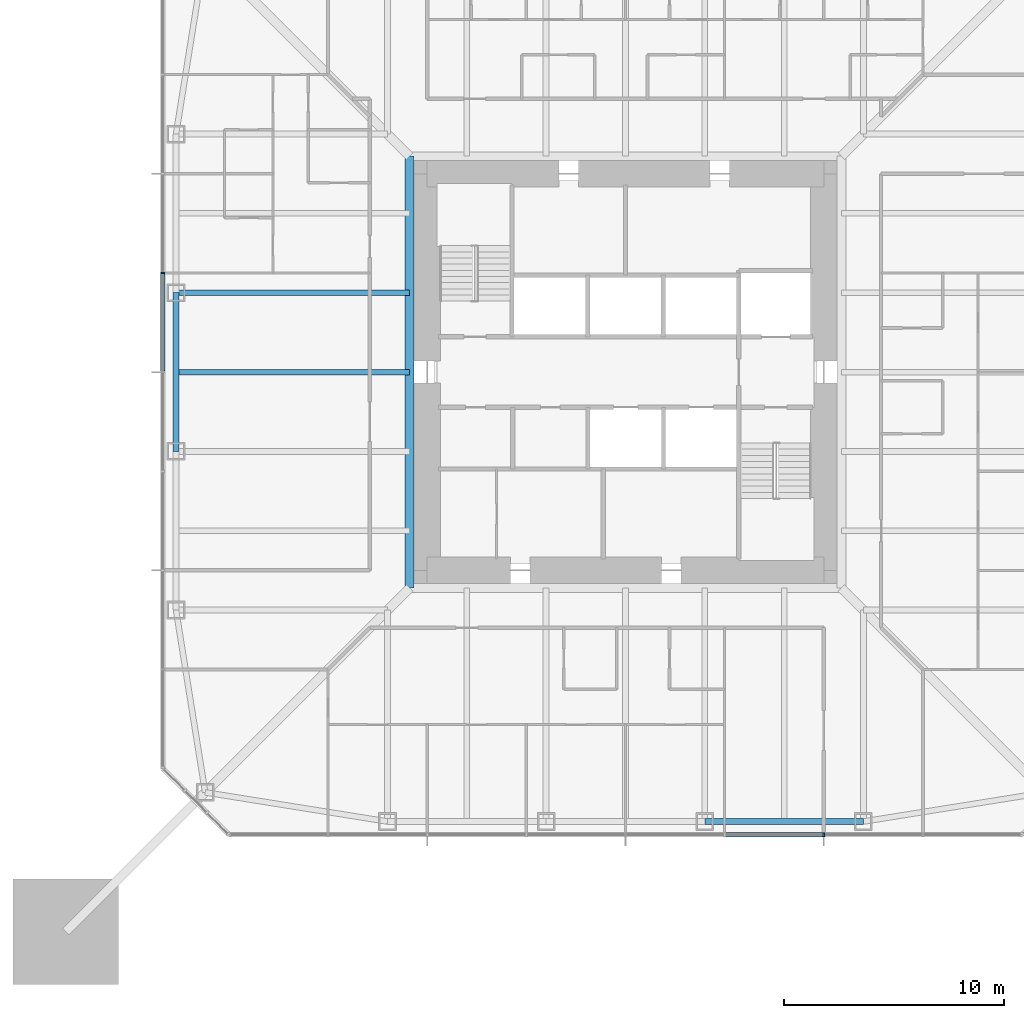
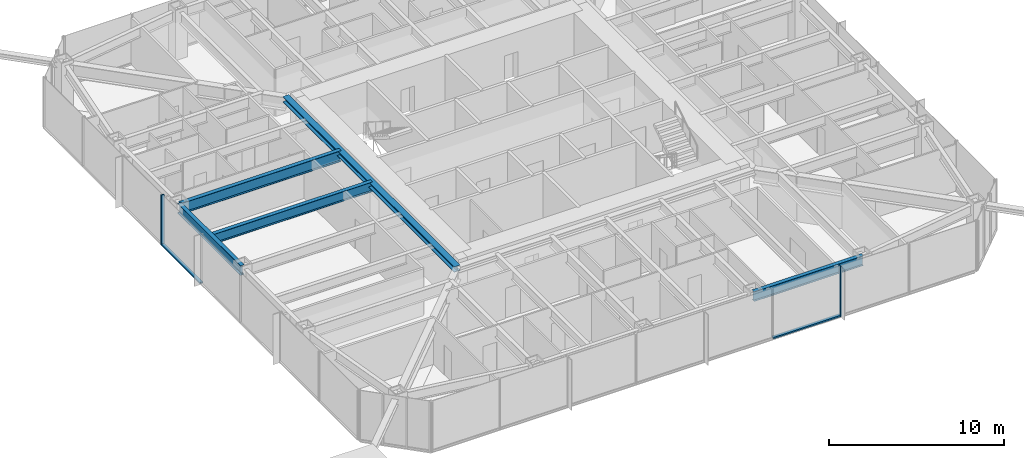
# One storey, part 4 of 25: 5 beams, 4 members, 2 elements without a shape of their own.
"""IFC4 building model written with IfcOpenShell, lengths in metres."""

from ifc_helpers import new_model, si_unit, direction, frame, origin, origin_2d, place, context, subcontext, project, spatial, rectangle, i_section, extrude, material, material_profile, profile_set, type_object, element, aggregate, save


model = new_model("IFC4")

# Units and contexts
model_context = context("Model", 3, precision=1e-05, world=origin(), true_north=direction((0.0, 1.0)))
body_context = subcontext(model_context, "Body", "Model", "MODEL_VIEW")
ifc_project = project(units=[si_unit("LENGTHUNIT", "METRE"), si_unit("AREAUNIT", "SQUARE_METRE"), si_unit("VOLUMEUNIT", "CUBIC_METRE"), si_unit("PLANEANGLEUNIT", "RADIAN"), si_unit("MASSUNIT", "GRAM", prefix="KILO")], contexts=[model_context])

# Site, building, storey
site_placement = place(None, origin())
site = spatial("IfcSite", under=ifc_project, at=site_placement, CompositionType="ELEMENT")
building_placement = place(site_placement, origin())
building = spatial("IfcBuilding", under=site, at=building_placement, Name="Iwan Alto Co-Living Towers", CompositionType="ELEMENT")
storey_placement = place(building_placement, frame((0.0, 0.0, 119.0)))
storey = spatial("IfcBuildingStorey", under=building, at=storey_placement, Name="L32", CompositionType="ELEMENT", Elevation=119.0)

# Curtain wall, member
ifc_material_1 = material(Name="Bronze aluminium unitised frame", Category="aluminium")
curtain_wall_type = type_object("IfcCurtainWallType", Name="CURTAIN WALL CW-A", PredefinedType="NOTDEFINED", material=ifc_material_1)
curtain_wall_1_placement = place(storey_placement, origin())
curtain_wall_1 = element("IfcCurtainWall", 1, at=curtain_wall_1_placement, inside=storey, type_object=curtain_wall_type, Name="T1 curtain wall S L32", PredefinedType="NOTDEFINED")
ifc_material_2 = material(Name="Aluminium 6063-T6 bronze anodised", Category="aluminium")
ifc_material_profile_1 = material_profile(ifc_material_2, rectangle(XDim=0.199951171875, YDim=0.080078125, at=origin_2d()), Name="AL 80X200")
ifc_profile_set_1 = profile_set([ifc_material_profile_1], Name="Aluminium 6063-T6 bronze anodised")
member_type_1 = type_object("IfcMemberType", Name="CW-A MULLION 80X200", PredefinedType="MULLION", material=ifc_profile_set_1)
member_1_placement = place(storey_placement, frame((9.0, -21.0, 0.0), z_axis=(0.0, 0.0, 1.0), x_axis=(0.0, 1.0, 0.0)))
member_1 = element("IfcMember", 2, at=member_1_placement, type_object=member_type_1, Name="CW-A mullion 7", PredefinedType="MULLION", context=body_context, shape_type="SweptSolid", body=[
    extrude(rectangle(XDim=0.199951171875, YDim=0.080078125, at=origin_2d()), origin(), (0.0, 0.0, 1.0), 3.5),
])

curtain_wall_2_placement = place(storey_placement, origin())
curtain_wall_2 = element("IfcCurtainWall", 3, at=curtain_wall_2_placement, inside=storey, type_object=curtain_wall_type, Name="T1 curtain wall W L32", PredefinedType="NOTDEFINED")
member_2_placement = place(storey_placement, frame((-21.0, 4.5, 0.0), z_axis=(0.0, 0.0, 1.0), x_axis=(1.0, 0.0, 0.0)))
member_2 = element("IfcMember", 4, at=member_2_placement, type_object=member_type_1, Name="CW-A mullion 4", PredefinedType="MULLION", context=body_context, shape_type="SweptSolid", body=[
    extrude(rectangle(XDim=0.199951171875, YDim=0.080078125, at=origin_2d()), origin(), (0.0, 0.0, 1.0), 3.5),
])

# Member
ifc_material_3 = material(Name="Aluminium 6063-T6 bronze anodised", Category="aluminium")
ifc_material_profile_2 = material_profile(ifc_material_3, rectangle(XDim=0.199951171875, YDim=0.10009765625, at=origin_2d()), Name="AL 200X100")
ifc_profile_set_2 = profile_set([ifc_material_profile_2], Name="Aluminium 6063-T6 bronze anodised")
member_type_2 = type_object("IfcMemberType", Name="CW-A TRANSOM 200X100", PredefinedType="USERDEFINED", material=ifc_profile_set_2)
member_3_placement = place(storey_placement, frame((4.5400390625, -21.0, 0.050048828125), z_axis=(1.0, 0.0, 0.0), x_axis=(0.0, 1.0, 0.0)))
member_3 = element("IfcMember", 5, at=member_3_placement, type_object=member_type_2, Name="CW-A transom 6.1", ObjectType="TRANSOM", PredefinedType="USERDEFINED", context=body_context, shape_type="SweptSolid", body=[
    extrude(rectangle(XDim=0.199951171875, YDim=0.10009765625, at=origin_2d()), origin(), (0.0, 0.0, 1.0), 4.419921875),
])

aggregate(curtain_wall_1, [member_1, member_3])

member_4_placement = place(storey_placement, frame((-21.0, 4.4599609375, 0.050048828125), z_axis=(0.0, -1.0, 0.0), x_axis=(1.0, 0.0, 0.0)))
member_4 = element("IfcMember", 6, at=member_4_placement, type_object=member_type_2, Name="CW-A transom 4.1", ObjectType="TRANSOM", PredefinedType="USERDEFINED", context=body_context, shape_type="SweptSolid", body=[
    extrude(rectangle(XDim=0.199951171875, YDim=0.10009765625, at=origin_2d()), origin(), (0.0, 0.0, 1.0), 4.419921875),
])

aggregate(curtain_wall_2, [member_2, member_4])

# Beams
ifc_material_4 = material(Name="Steel ASTM A992 Gr 50", Category="steel")
ifc_material_profile_3 = material_profile(ifc_material_4, i_section(OverallWidth=0.398681640625, OverallDepth=0.385986328125, WebThickness=0.02099609375, FlangeThickness=0.033203125, at=origin_2d()), Name="W14X176")
ifc_profile_set_3 = profile_set([ifc_material_profile_3], Name="Steel ASTM A992 Gr 50")
beam_type_1 = type_object("IfcBeamType", Name="T1 CORE LEDGER BEAM W14X176", PredefinedType="BEAM", material=ifc_profile_set_3)
beam_1_placement = place(storey_placement, frame((-9.79931640625, 9.79931640625, 3.076904296875), z_axis=(0.0, -1.0, 0.0), x_axis=(1.0, 0.0, 0.0)))
element("IfcBeam", 7, at=beam_1_placement, inside=storey, type_object=beam_type_1, Name="T1 core ledger beam W L33", PredefinedType="BEAM", context=body_context, shape_type="SweptSolid", body=[
    extrude(i_section(OverallWidth=0.398681640625, OverallDepth=0.385986328125, WebThickness=0.02099609375, FlangeThickness=0.033203125, at=origin_2d()), origin(), (0.0, 0.0, 1.0), 19.5986328125),
])
ifc_material_5 = material(Name="Steel ASTM A992 Gr 50", Category="steel")
ifc_material_profile_4 = material_profile(ifc_material_5, i_section(OverallWidth=0.25390625, OverallDepth=0.683349609375, WebThickness=0.012451171875, FlangeThickness=0.018798828125, at=origin_2d()), Name="W27X94")
ifc_profile_set_4 = profile_set([ifc_material_profile_4], Name="Steel ASTM A992 Gr 50")
beam_type_2 = type_object("IfcBeamType", Name="T1 EDGE BEAM W27X94", PredefinedType="BEAM", material=ifc_profile_set_4)
beam_2_placement = place(storey_placement, frame((3.60009765625, -20.39990234375, 2.928466796875), z_axis=(1.0, 0.0, 0.0), x_axis=(0.0, 1.0, 0.0)))
element("IfcBeam", 8, at=beam_2_placement, inside=storey, type_object=beam_type_2, Name="T1 edge beam S3 L33", PredefinedType="BEAM", context=body_context, shape_type="SweptSolid", body=[
    extrude(i_section(OverallWidth=0.25390625, OverallDepth=0.683349609375, WebThickness=0.012451171875, FlangeThickness=0.018798828125, at=origin_2d()), origin(), (0.0, 0.0, 1.0), 7.199951171875),
])
beam_3_placement = place(storey_placement, frame((-20.39990234375, 3.60009765625, 2.928466796875), z_axis=(0.0, -1.0, 0.0), x_axis=(1.0, 0.0, 0.0)))
element("IfcBeam", 9, at=beam_3_placement, inside=storey, type_object=beam_type_2, Name="T1 edge beam W2 L33", PredefinedType="BEAM", context=body_context, shape_type="SweptSolid", body=[
    extrude(i_section(OverallWidth=0.25390625, OverallDepth=0.683349609375, WebThickness=0.012451171875, FlangeThickness=0.018798828125, at=origin_2d()), origin(), (0.0, 0.0, 1.0), 7.2001953125),
])
ifc_material_6 = material(Name="Steel ASTM A992 Gr 50", Category="steel")
ifc_material_profile_5 = material_profile(ifc_material_6, i_section(OverallWidth=0.2666015625, OverallDepth=0.761962890625, WebThickness=0.014404296875, FlangeThickness=0.021484375, at=origin_2d()), Name="W30X116")
ifc_profile_set_5 = profile_set([ifc_material_profile_5], Name="Steel ASTM A992 Gr 50")
beam_type_3 = type_object("IfcBeamType", Name="T1 RADIAL BEAM W30X116", PredefinedType="BEAM", material=ifc_profile_set_5)
beam_4_placement = place(storey_placement, frame((-20.39990234375, 3.60009765625, 2.888916015625), z_axis=(1.0, 0.0, 0.0), x_axis=(0.0, 1.0, 0.0)))
element("IfcBeam", 10, at=beam_4_placement, inside=storey, type_object=beam_type_3, Name="T1 radial beam W2 L33", PredefinedType="BEAM", context=body_context, shape_type="SweptSolid", body=[
    extrude(i_section(OverallWidth=0.2666015625, OverallDepth=0.761962890625, WebThickness=0.014404296875, FlangeThickness=0.021484375, at=origin_2d()), origin(), (0.0, 0.0, 1.0), 10.6005859375),
])
ifc_material_7 = material(Name="Steel ASTM A992 Gr 50", Category="steel")
ifc_material_profile_6 = material_profile(ifc_material_7, i_section(OverallWidth=0.25390625, OverallDepth=0.683349609375, WebThickness=0.012451171875, FlangeThickness=0.018798828125, at=origin_2d()), Name="W27X94")
ifc_profile_set_6 = profile_set([ifc_material_profile_6], Name="Steel ASTM A992 Gr 50")
beam_type_4 = type_object("IfcBeamType", Name="T1 SECONDARY BEAM W27X94", PredefinedType="JOIST", material=ifc_profile_set_6)
beam_5_placement = place(storey_placement, frame((-20.39990234375, 0.0, 2.928466796875), z_axis=(1.0, 0.0, 0.0), x_axis=(0.0, 1.0, 0.0)))
element("IfcBeam", 11, at=beam_5_placement, inside=storey, type_object=beam_type_4, Name="T1 secondary beam W2 L33", PredefinedType="JOIST", context=body_context, shape_type="SweptSolid", body=[
    extrude(i_section(OverallWidth=0.25390625, OverallDepth=0.683349609375, WebThickness=0.012451171875, FlangeThickness=0.018798828125, at=origin_2d()), origin(), (0.0, 0.0, 1.0), 10.6005859375),
])

save(model, "model.ifc")
